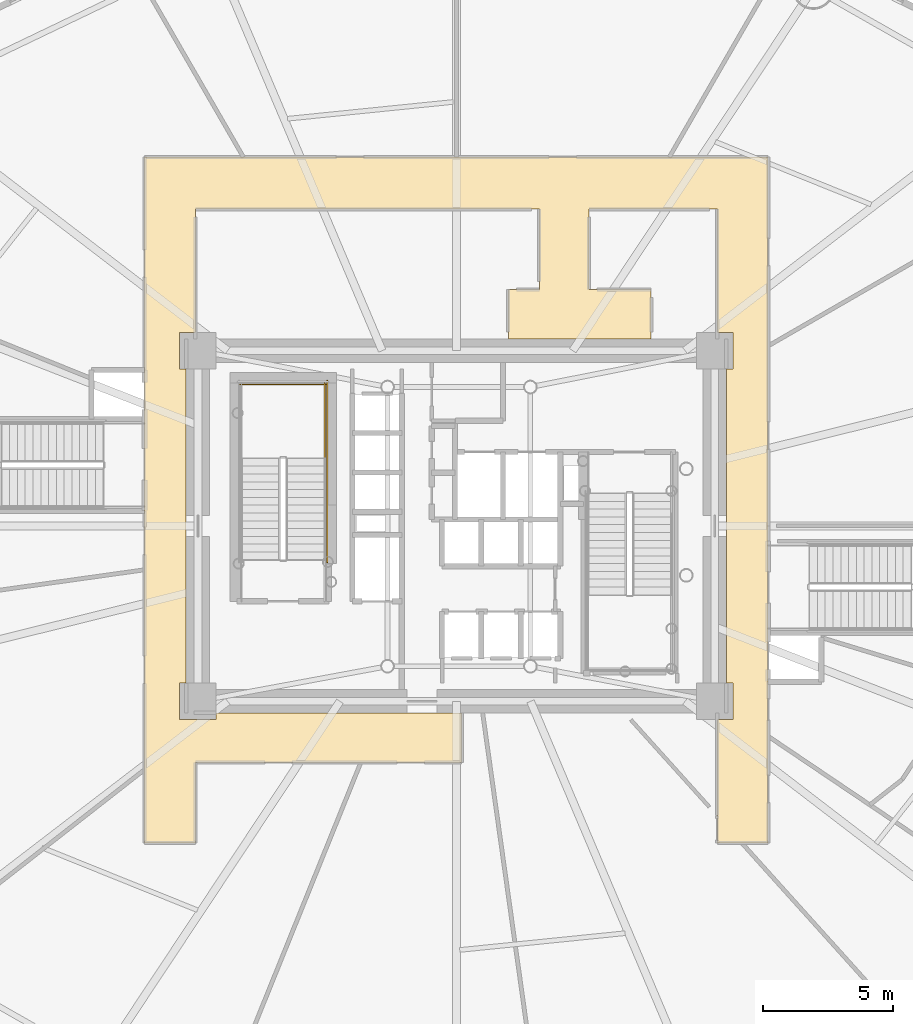
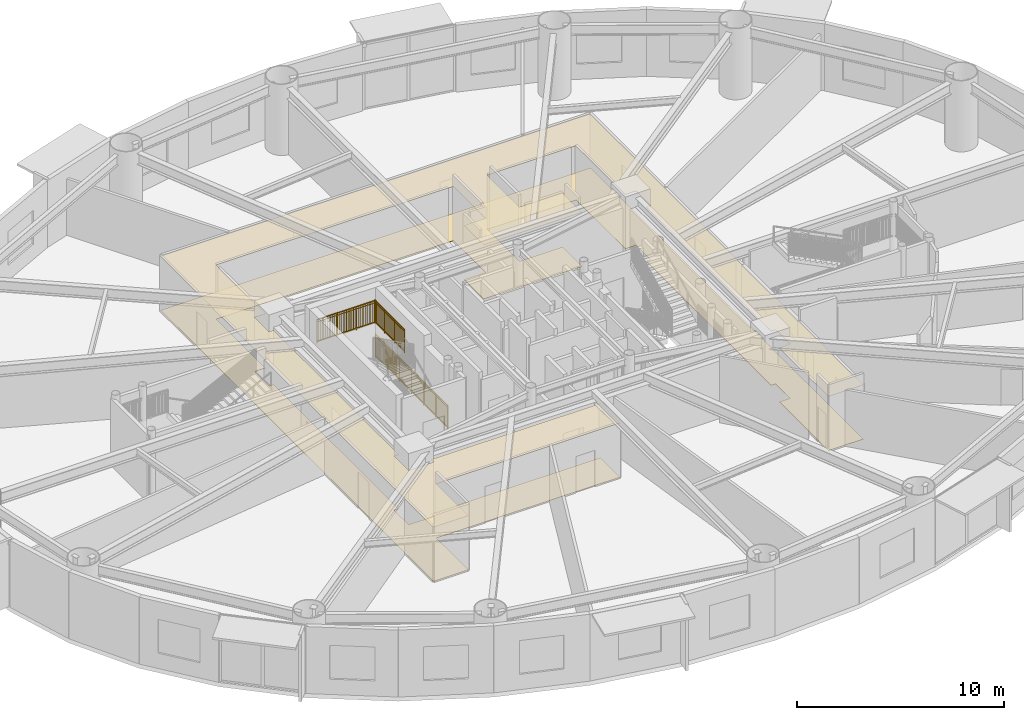
# One storey, part 26 of 32: 3 railings, 2 coverings.
"""IFC4 building model written with IfcOpenShell, lengths in metres."""

from ifc_helpers import new_model, si_unit, direction, frame, origin, origin_2d, place, context, subcontext, project, spatial, polyline, rectangle, outline, extrude, source, transform, mapped, material, layer, layer_set, type_object, element, save


model = new_model("IFC4")

# Units and contexts
model_context = context("Model", 3, precision=1e-05, world=origin(), true_north=direction((0.0, 1.0)))
body_context = subcontext(model_context, "Body", "Model", "MODEL_VIEW")
ifc_project = project(units=[si_unit("LENGTHUNIT", "METRE"), si_unit("AREAUNIT", "SQUARE_METRE"), si_unit("VOLUMEUNIT", "CUBIC_METRE"), si_unit("PLANEANGLEUNIT", "RADIAN"), si_unit("MASSUNIT", "GRAM", prefix="KILO")], contexts=[model_context])

# Site, building, storey
site_placement = place(None, origin())
site = spatial("IfcSite", under=ifc_project, at=site_placement, CompositionType="ELEMENT")
building_placement = place(site_placement, origin())
building = spatial("IfcBuilding", under=site, at=building_placement, Name="Linh Dai School and Residence Tower", CompositionType="ELEMENT")
storey_placement = place(building_placement, frame((0.0, 0.0, 40.800048828125)))
storey = spatial("IfcBuildingStorey", under=building, at=storey_placement, Name="L09", CompositionType="ELEMENT", Elevation=40.800048828125)

# Coverings
ifc_material_1 = material(Name="Mineral Fibre Acoustic Suspended Ceiling", Category="masonry")
ifc_layer_1 = layer(ifc_material_1, 0.02001953125)
ifc_layer_set_1 = layer_set([ifc_layer_1], Name="Mineral Fibre Acoustic Suspended Ceiling")
covering_type_1 = type_object("IfcCoveringType", Name="COV-CEIL-AC-20", PredefinedType="CEILING", material=ifc_layer_set_1)
covering_1_placement = place(storey_placement, frame((0.0, 0.0, 3.199951171875)))
element("IfcCovering", 1, at=covering_1_placement, inside=storey, type_object=covering_type_1, Name="L09 School Circulation Ring Corridor Suspended Ceiling", PredefinedType="CEILING", context=body_context, shape_type="SweptSolid", body=[
    extrude(outline(polyline([(24.0, 41.199951171875), (48.0, 41.199951171875), (48.0, 14.800048828125), (46.050048828125, 14.800048828125), (46.050048828125, 19.550048828125), (46.64990234375, 19.550048828125), (46.64990234375, 20.949951171875), (46.39990234375, 20.949951171875), (46.39990234375, 33.050048828125), (46.64990234375, 33.050048828125), (46.64990234375, 34.449951171875), (46.050048828125, 34.449951171875), (46.050048828125, 39.199951171875), (41.10009765625, 39.199951171875), (41.10009765625, 36.10009765625), (43.5, 36.10009765625), (43.5, 34.199951171875), (38.0, 34.199951171875), (38.0, 36.10009765625), (39.199951171875, 36.10009765625), (39.199951171875, 39.199951171875), (25.949951171875, 39.199951171875), (25.949951171875, 34.449951171875), (25.35009765625, 34.449951171875), (25.35009765625, 33.050048828125), (25.60009765625, 33.050048828125), (25.60009765625, 20.949951171875), (25.35009765625, 20.949951171875), (25.35009765625, 19.550048828125), (26.75, 19.550048828125), (26.75, 19.800048828125), (36.199951171875, 19.800048828125), (36.199951171875, 17.89990234375), (25.949951171875, 17.89990234375), (25.949951171875, 14.800048828125), (24.0, 14.800048828125), (24.0, 41.199951171875)])), origin(), (0.0, 0.0, 1.0), 0.02001953125),
])
ifc_material_2 = material(Name="Polished Terrazzo Floor Finish", Category="masonry")
ifc_layer_2 = layer(ifc_material_2, 0.02490234375)
ifc_layer_set_2 = layer_set([ifc_layer_2], Name="Polished Terrazzo Floor Finish")
covering_type_2 = type_object("IfcCoveringType", Name="COV-FLR-TRZ-25", PredefinedType="FLOORING", material=ifc_layer_set_2)
covering_2_placement = place(storey_placement, origin())
element("IfcCovering", 2, at=covering_2_placement, inside=storey, type_object=covering_type_2, Name="L09 School Circulation Ring Corridor Floor Finish", PredefinedType="FLOORING", context=body_context, shape_type="SweptSolid", body=[
    extrude(outline(polyline([(24.0, 41.199951171875), (48.0, 41.199951171875), (48.0, 14.800048828125), (46.050048828125, 14.800048828125), (46.050048828125, 19.550048828125), (46.64990234375, 19.550048828125), (46.64990234375, 20.949951171875), (46.39990234375, 20.949951171875), (46.39990234375, 33.050048828125), (46.64990234375, 33.050048828125), (46.64990234375, 34.449951171875), (46.050048828125, 34.449951171875), (46.050048828125, 39.199951171875), (41.10009765625, 39.199951171875), (41.10009765625, 36.10009765625), (43.5, 36.10009765625), (43.5, 34.199951171875), (38.0, 34.199951171875), (38.0, 36.10009765625), (39.199951171875, 36.10009765625), (39.199951171875, 39.199951171875), (25.949951171875, 39.199951171875), (25.949951171875, 34.449951171875), (25.35009765625, 34.449951171875), (25.35009765625, 33.050048828125), (25.60009765625, 33.050048828125), (25.60009765625, 20.949951171875), (25.35009765625, 20.949951171875), (25.35009765625, 19.550048828125), (26.75, 19.550048828125), (26.75, 19.800048828125), (36.199951171875, 19.800048828125), (36.199951171875, 17.89990234375), (25.949951171875, 17.89990234375), (25.949951171875, 14.800048828125), (24.0, 14.800048828125), (24.0, 41.199951171875)])), origin(), (0.0, 0.0, 1.0), 0.02001953125),
])

# Railings
ifc_material_3 = material(Name="Structural Steel S355JR", Category="steel")
railing_type = type_object("IfcRailingType", Name="RL-ST-GUARD-1400", PredefinedType="GUARDRAIL", material=ifc_material_3)
shared_shape_1 = source(origin(), body_context, "Body", "SweptSolid", [
    extrude(rectangle(XDim=0.048095703125, YDim=0.048095703125, at=origin_2d()), frame((0.0, 0.0, 1.3759765625), z_axis=(-1.0, 0.0, 0.0), x_axis=(0.0, -1.0, 0.0)), (0.0, 0.0, 1.0), 3.300048828125),
    extrude(rectangle(XDim=0.048095703125, YDim=0.048095703125, at=origin_2d()), frame((0.0, 0.0, 0.10009765625), z_axis=(-1.0, 0.0, 0.0), x_axis=(0.0, -1.0, 0.0)), (0.0, 0.0, 1.0), 3.300048828125),
    extrude(rectangle(XDim=0.030029296875, YDim=0.030029296875, at=origin_2d()), frame((0.0, 0.0, 1.239990234375), z_axis=(-1.0, 0.0, 0.0), x_axis=(0.0, -1.0, 0.0)), (0.0, 0.0, 1.0), 3.300048828125),
    extrude(rectangle(XDim=0.02001953125, YDim=0.02001953125, at=origin_2d()), frame((-0.09716796875, 0.0, 0.10009765625)), (0.0, 0.0, 1.0), 1.251708984375),
    extrude(rectangle(XDim=0.02001953125, YDim=0.02001953125, at=origin_2d()), frame((-0.194091796875, 0.0, 0.10009765625)), (0.0, 0.0, 1.0), 1.251708984375),
    extrude(rectangle(XDim=0.02001953125, YDim=0.02001953125, at=origin_2d()), frame((-0.291259765625, 0.0, 0.10009765625)), (0.0, 0.0, 1.0), 1.251708984375),
    extrude(rectangle(XDim=0.02001953125, YDim=0.02001953125, at=origin_2d()), frame((-0.38818359375, 0.0, 0.10009765625)), (0.0, 0.0, 1.0), 1.251708984375),
    extrude(rectangle(XDim=0.02001953125, YDim=0.02001953125, at=origin_2d()), frame((-0.4853515625, 0.0, 0.10009765625)), (0.0, 0.0, 1.0), 1.251708984375),
    extrude(rectangle(XDim=0.02001953125, YDim=0.02001953125, at=origin_2d()), frame((-0.582275390625, 0.0, 0.10009765625)), (0.0, 0.0, 1.0), 1.251708984375),
    extrude(rectangle(XDim=0.02001953125, YDim=0.02001953125, at=origin_2d()), frame((-0.679443359375, 0.0, 0.10009765625)), (0.0, 0.0, 1.0), 1.251708984375),
    extrude(rectangle(XDim=0.02001953125, YDim=0.02001953125, at=origin_2d()), frame((-0.7763671875, 0.0, 0.10009765625)), (0.0, 0.0, 1.0), 1.251708984375),
    extrude(rectangle(XDim=0.02001953125, YDim=0.02001953125, at=origin_2d()), frame((-0.87353515625, 0.0, 0.10009765625)), (0.0, 0.0, 1.0), 1.251708984375),
    extrude(rectangle(XDim=0.02001953125, YDim=0.02001953125, at=origin_2d()), frame((-0.970703125, 0.0, 0.10009765625)), (0.0, 0.0, 1.0), 1.251708984375),
    extrude(rectangle(XDim=0.02001953125, YDim=0.02001953125, at=origin_2d()), frame((-1.164794921875, 0.0, 0.10009765625)), (0.0, 0.0, 1.0), 1.251708984375),
    extrude(rectangle(XDim=0.02001953125, YDim=0.02001953125, at=origin_2d()), frame((-1.26171875, 0.0, 0.10009765625)), (0.0, 0.0, 1.0), 1.251708984375),
    extrude(rectangle(XDim=0.02001953125, YDim=0.02001953125, at=origin_2d()), frame((-1.35888671875, 0.0, 0.10009765625)), (0.0, 0.0, 1.0), 1.251708984375),
    extrude(rectangle(XDim=0.02001953125, YDim=0.02001953125, at=origin_2d()), frame((-1.455810546875, 0.0, 0.10009765625)), (0.0, 0.0, 1.0), 1.251708984375),
    extrude(rectangle(XDim=0.02001953125, YDim=0.02001953125, at=origin_2d()), frame((-1.552978515625, 0.0, 0.10009765625)), (0.0, 0.0, 1.0), 1.251708984375),
    extrude(rectangle(XDim=0.02001953125, YDim=0.02001953125, at=origin_2d()), frame((-1.64990234375, 0.0, 0.10009765625)), (0.0, 0.0, 1.0), 1.251708984375),
    extrude(rectangle(XDim=0.02001953125, YDim=0.02001953125, at=origin_2d()), frame((-1.7470703125, 0.0, 0.10009765625)), (0.0, 0.0, 1.0), 1.251708984375),
    extrude(rectangle(XDim=0.02001953125, YDim=0.02001953125, at=origin_2d()), frame((-1.84423828125, 0.0, 0.10009765625)), (0.0, 0.0, 1.0), 1.251708984375),
    extrude(rectangle(XDim=0.02001953125, YDim=0.02001953125, at=origin_2d()), frame((-1.941162109375, 0.0, 0.10009765625)), (0.0, 0.0, 1.0), 1.251708984375),
    extrude(rectangle(XDim=0.02001953125, YDim=0.02001953125, at=origin_2d()), frame((-2.038330078125, 0.0, 0.10009765625)), (0.0, 0.0, 1.0), 1.251708984375),
    extrude(rectangle(XDim=0.02001953125, YDim=0.02001953125, at=origin_2d()), frame((-2.13525390625, 0.0, 0.10009765625)), (0.0, 0.0, 1.0), 1.251708984375),
    extrude(rectangle(XDim=0.02001953125, YDim=0.02001953125, at=origin_2d()), frame((-2.329345703125, 0.0, 0.10009765625)), (0.0, 0.0, 1.0), 1.251708984375),
    extrude(rectangle(XDim=0.02001953125, YDim=0.02001953125, at=origin_2d()), frame((-2.426513671875, 0.0, 0.10009765625)), (0.0, 0.0, 1.0), 1.251708984375),
    extrude(rectangle(XDim=0.02001953125, YDim=0.02001953125, at=origin_2d()), frame((-2.523681640625, 0.0, 0.10009765625)), (0.0, 0.0, 1.0), 1.251708984375),
    extrude(rectangle(XDim=0.02001953125, YDim=0.02001953125, at=origin_2d()), frame((-2.62060546875, 0.0, 0.10009765625)), (0.0, 0.0, 1.0), 1.251708984375),
    extrude(rectangle(XDim=0.02001953125, YDim=0.02001953125, at=origin_2d()), frame((-2.7177734375, 0.0, 0.10009765625)), (0.0, 0.0, 1.0), 1.251708984375),
    extrude(rectangle(XDim=0.02001953125, YDim=0.02001953125, at=origin_2d()), frame((-2.814697265625, 0.0, 0.10009765625)), (0.0, 0.0, 1.0), 1.251708984375),
    extrude(rectangle(XDim=0.02001953125, YDim=0.02001953125, at=origin_2d()), frame((-2.911865234375, 0.0, 0.10009765625)), (0.0, 0.0, 1.0), 1.251708984375),
    extrude(rectangle(XDim=0.02001953125, YDim=0.02001953125, at=origin_2d()), frame((-3.0087890625, 0.0, 0.10009765625)), (0.0, 0.0, 1.0), 1.251708984375),
    extrude(rectangle(XDim=0.02001953125, YDim=0.02001953125, at=origin_2d()), frame((-3.10595703125, 0.0, 0.10009765625)), (0.0, 0.0, 1.0), 1.251708984375),
    extrude(rectangle(XDim=0.02001953125, YDim=0.02001953125, at=origin_2d()), frame((-3.202880859375, 0.0, 0.10009765625)), (0.0, 0.0, 1.0), 1.251708984375),
    extrude(rectangle(XDim=0.0419921875, YDim=0.0419921875, at=origin_2d()), origin(), (0.0, 0.0, 1.0), 1.3759765625),
    extrude(rectangle(XDim=0.0419921875, YDim=0.0419921875, at=origin_2d()), frame((-1.10009765625, 0.0, 0.0)), (0.0, 0.0, 1.0), 1.3759765625),
    extrude(rectangle(XDim=0.0419921875, YDim=0.0419921875, at=origin_2d()), frame((-2.199951171875, 0.0, 0.0)), (0.0, 0.0, 1.0), 1.3759765625),
    extrude(rectangle(XDim=0.0419921875, YDim=0.0419921875, at=origin_2d()), frame((-3.300048828125, 0.0, 0.0)), (0.0, 0.0, 1.0), 1.3759765625),
])
railing_1_placement = place(storey_placement, frame((30.97998046875, 32.449951171875, 2.099853515625)))
element("IfcRailing", 3, at=railing_1_placement, inside=storey, type_object=railing_type, Name="L09 ST1 stair guard 5", PredefinedType="GUARDRAIL", context=body_context, shape_type="MappedRepresentation", body=[
    mapped(shared_shape_1, transform((0.0, 0.0, 0.0), x_axis=(1.0, 0.0, 0.0), y_axis=(0.0, 1.0, 0.0), z_axis=(0.0, 0.0, 1.0), scale=1.0)),
])
shared_shape_2 = source(origin(), body_context, "Body", "SweptSolid", [
    extrude(rectangle(XDim=0.048095703125, YDim=0.048095703125, at=origin_2d()), frame((0.0, 0.0, 1.3759765625), z_axis=(0.0, 1.0, 0.0), x_axis=(-1.0, 0.0, 0.0)), (0.0, 0.0, 1.0), 7.0),
    extrude(rectangle(XDim=0.048095703125, YDim=0.048095703125, at=origin_2d()), frame((0.0, 0.0, 0.10009765625), z_axis=(0.0, 1.0, 0.0), x_axis=(-1.0, 0.0, 0.0)), (0.0, 0.0, 1.0), 7.0),
    extrude(rectangle(XDim=0.030029296875, YDim=0.030029296875, at=origin_2d()), frame((0.0, 0.0, 1.239990234375), z_axis=(0.0, 1.0, 0.0), x_axis=(-1.0, 0.0, 0.0)), (0.0, 0.0, 1.0), 7.0),
    extrude(rectangle(XDim=0.02001953125, YDim=0.02001953125, at=origin_2d()), frame((0.0, 0.09716796875, 0.10009765625)), (0.0, 0.0, 1.0), 1.251708984375),
    extrude(rectangle(XDim=0.02001953125, YDim=0.02001953125, at=origin_2d()), frame((0.0, 0.1943359375, 0.10009765625)), (0.0, 0.0, 1.0), 1.251708984375),
    extrude(rectangle(XDim=0.02001953125, YDim=0.02001953125, at=origin_2d()), frame((0.0, 0.291748046875, 0.10009765625)), (0.0, 0.0, 1.0), 1.251708984375),
    extrude(rectangle(XDim=0.02001953125, YDim=0.02001953125, at=origin_2d()), frame((0.0, 0.388916015625, 0.10009765625)), (0.0, 0.0, 1.0), 1.251708984375),
    extrude(rectangle(XDim=0.02001953125, YDim=0.02001953125, at=origin_2d()), frame((0.0, 0.486083984375, 0.10009765625)), (0.0, 0.0, 1.0), 1.251708984375),
    extrude(rectangle(XDim=0.02001953125, YDim=0.02001953125, at=origin_2d()), frame((0.0, 0.583251953125, 0.10009765625)), (0.0, 0.0, 1.0), 1.251708984375),
    extrude(rectangle(XDim=0.02001953125, YDim=0.02001953125, at=origin_2d()), frame((0.0, 0.6806640625, 0.10009765625)), (0.0, 0.0, 1.0), 1.251708984375),
    extrude(rectangle(XDim=0.02001953125, YDim=0.02001953125, at=origin_2d()), frame((0.0, 0.77783203125, 0.10009765625)), (0.0, 0.0, 1.0), 1.251708984375),
    extrude(rectangle(XDim=0.02001953125, YDim=0.02001953125, at=origin_2d()), frame((0.0, 0.875, 0.10009765625)), (0.0, 0.0, 1.0), 1.251708984375),
    extrude(rectangle(XDim=0.02001953125, YDim=0.02001953125, at=origin_2d()), frame((0.0, 0.97216796875, 0.10009765625)), (0.0, 0.0, 1.0), 1.251708984375),
    extrude(rectangle(XDim=0.02001953125, YDim=0.02001953125, at=origin_2d()), frame((0.0, 1.0693359375, 0.10009765625)), (0.0, 0.0, 1.0), 1.251708984375),
    extrude(rectangle(XDim=0.02001953125, YDim=0.02001953125, at=origin_2d()), frame((0.0, 1.263916015625, 0.10009765625)), (0.0, 0.0, 1.0), 1.251708984375),
    extrude(rectangle(XDim=0.02001953125, YDim=0.02001953125, at=origin_2d()), frame((0.0, 1.361083984375, 0.10009765625)), (0.0, 0.0, 1.0), 1.251708984375),
    extrude(rectangle(XDim=0.02001953125, YDim=0.02001953125, at=origin_2d()), frame((0.0, 1.458251953125, 0.10009765625)), (0.0, 0.0, 1.0), 1.251708984375),
    extrude(rectangle(XDim=0.02001953125, YDim=0.02001953125, at=origin_2d()), frame((0.0, 1.5556640625, 0.10009765625)), (0.0, 0.0, 1.0), 1.251708984375),
    extrude(rectangle(XDim=0.02001953125, YDim=0.02001953125, at=origin_2d()), frame((0.0, 1.65283203125, 0.10009765625)), (0.0, 0.0, 1.0), 1.251708984375),
    extrude(rectangle(XDim=0.02001953125, YDim=0.02001953125, at=origin_2d()), frame((0.0, 1.75, 0.10009765625)), (0.0, 0.0, 1.0), 1.251708984375),
    extrude(rectangle(XDim=0.02001953125, YDim=0.02001953125, at=origin_2d()), frame((0.0, 1.84716796875, 0.10009765625)), (0.0, 0.0, 1.0), 1.251708984375),
    extrude(rectangle(XDim=0.02001953125, YDim=0.02001953125, at=origin_2d()), frame((0.0, 1.9443359375, 0.10009765625)), (0.0, 0.0, 1.0), 1.251708984375),
    extrude(rectangle(XDim=0.02001953125, YDim=0.02001953125, at=origin_2d()), frame((0.0, 2.041748046875, 0.10009765625)), (0.0, 0.0, 1.0), 1.251708984375),
    extrude(rectangle(XDim=0.02001953125, YDim=0.02001953125, at=origin_2d()), frame((0.0, 2.138916015625, 0.10009765625)), (0.0, 0.0, 1.0), 1.251708984375),
    extrude(rectangle(XDim=0.02001953125, YDim=0.02001953125, at=origin_2d()), frame((0.0, 2.236083984375, 0.10009765625)), (0.0, 0.0, 1.0), 1.251708984375),
    extrude(rectangle(XDim=0.02001953125, YDim=0.02001953125, at=origin_2d()), frame((0.0, 2.4306640625, 0.10009765625)), (0.0, 0.0, 1.0), 1.251708984375),
    extrude(rectangle(XDim=0.02001953125, YDim=0.02001953125, at=origin_2d()), frame((0.0, 2.52783203125, 0.10009765625)), (0.0, 0.0, 1.0), 1.251708984375),
    extrude(rectangle(XDim=0.02001953125, YDim=0.02001953125, at=origin_2d()), frame((0.0, 2.625, 0.10009765625)), (0.0, 0.0, 1.0), 1.251708984375),
    extrude(rectangle(XDim=0.02001953125, YDim=0.02001953125, at=origin_2d()), frame((0.0, 2.72216796875, 0.10009765625)), (0.0, 0.0, 1.0), 1.251708984375),
    extrude(rectangle(XDim=0.02001953125, YDim=0.02001953125, at=origin_2d()), frame((0.0, 2.8193359375, 0.10009765625)), (0.0, 0.0, 1.0), 1.251708984375),
    extrude(rectangle(XDim=0.02001953125, YDim=0.02001953125, at=origin_2d()), frame((0.0, 2.916748046875, 0.10009765625)), (0.0, 0.0, 1.0), 1.251708984375),
    extrude(rectangle(XDim=0.02001953125, YDim=0.02001953125, at=origin_2d()), frame((0.0, 3.013916015625, 0.10009765625)), (0.0, 0.0, 1.0), 1.251708984375),
    extrude(rectangle(XDim=0.02001953125, YDim=0.02001953125, at=origin_2d()), frame((0.0, 3.111083984375, 0.10009765625)), (0.0, 0.0, 1.0), 1.251708984375),
    extrude(rectangle(XDim=0.02001953125, YDim=0.02001953125, at=origin_2d()), frame((0.0, 3.208251953125, 0.10009765625)), (0.0, 0.0, 1.0), 1.251708984375),
    extrude(rectangle(XDim=0.02001953125, YDim=0.02001953125, at=origin_2d()), frame((0.0, 3.3056640625, 0.10009765625)), (0.0, 0.0, 1.0), 1.251708984375),
    extrude(rectangle(XDim=0.02001953125, YDim=0.02001953125, at=origin_2d()), frame((0.0, 3.40283203125, 0.10009765625)), (0.0, 0.0, 1.0), 1.251708984375),
    extrude(rectangle(XDim=0.02001953125, YDim=0.02001953125, at=origin_2d()), frame((0.0, 3.59716796875, 0.10009765625)), (0.0, 0.0, 1.0), 1.251708984375),
    extrude(rectangle(XDim=0.02001953125, YDim=0.02001953125, at=origin_2d()), frame((0.0, 3.6943359375, 0.10009765625)), (0.0, 0.0, 1.0), 1.251708984375),
    extrude(rectangle(XDim=0.02001953125, YDim=0.02001953125, at=origin_2d()), frame((0.0, 3.791748046875, 0.10009765625)), (0.0, 0.0, 1.0), 1.251708984375),
    extrude(rectangle(XDim=0.02001953125, YDim=0.02001953125, at=origin_2d()), frame((0.0, 3.888916015625, 0.10009765625)), (0.0, 0.0, 1.0), 1.251708984375),
    extrude(rectangle(XDim=0.02001953125, YDim=0.02001953125, at=origin_2d()), frame((0.0, 3.986083984375, 0.10009765625)), (0.0, 0.0, 1.0), 1.251708984375),
    extrude(rectangle(XDim=0.02001953125, YDim=0.02001953125, at=origin_2d()), frame((0.0, 4.083251953125, 0.10009765625)), (0.0, 0.0, 1.0), 1.251708984375),
    extrude(rectangle(XDim=0.02001953125, YDim=0.02001953125, at=origin_2d()), frame((0.0, 4.1806640625, 0.10009765625)), (0.0, 0.0, 1.0), 1.251708984375),
    extrude(rectangle(XDim=0.02001953125, YDim=0.02001953125, at=origin_2d()), frame((0.0, 4.27783203125, 0.10009765625)), (0.0, 0.0, 1.0), 1.251708984375),
    extrude(rectangle(XDim=0.02001953125, YDim=0.02001953125, at=origin_2d()), frame((0.0, 4.375, 0.10009765625)), (0.0, 0.0, 1.0), 1.251708984375),
    extrude(rectangle(XDim=0.02001953125, YDim=0.02001953125, at=origin_2d()), frame((0.0, 4.47216796875, 0.10009765625)), (0.0, 0.0, 1.0), 1.251708984375),
    extrude(rectangle(XDim=0.02001953125, YDim=0.02001953125, at=origin_2d()), frame((0.0, 4.5693359375, 0.10009765625)), (0.0, 0.0, 1.0), 1.251708984375),
    extrude(rectangle(XDim=0.02001953125, YDim=0.02001953125, at=origin_2d()), frame((0.0, 4.763916015625, 0.10009765625)), (0.0, 0.0, 1.0), 1.251708984375),
    extrude(rectangle(XDim=0.02001953125, YDim=0.02001953125, at=origin_2d()), frame((0.0, 4.861083984375, 0.10009765625)), (0.0, 0.0, 1.0), 1.251708984375),
    extrude(rectangle(XDim=0.02001953125, YDim=0.02001953125, at=origin_2d()), frame((0.0, 4.958251953125, 0.10009765625)), (0.0, 0.0, 1.0), 1.251708984375),
    extrude(rectangle(XDim=0.02001953125, YDim=0.02001953125, at=origin_2d()), frame((0.0, 5.0556640625, 0.10009765625)), (0.0, 0.0, 1.0), 1.251708984375),
    extrude(rectangle(XDim=0.02001953125, YDim=0.02001953125, at=origin_2d()), frame((0.0, 5.15283203125, 0.10009765625)), (0.0, 0.0, 1.0), 1.251708984375),
    extrude(rectangle(XDim=0.02001953125, YDim=0.02001953125, at=origin_2d()), frame((0.0, 5.25, 0.10009765625)), (0.0, 0.0, 1.0), 1.251708984375),
    extrude(rectangle(XDim=0.02001953125, YDim=0.02001953125, at=origin_2d()), frame((0.0, 5.34716796875, 0.10009765625)), (0.0, 0.0, 1.0), 1.251708984375),
    extrude(rectangle(XDim=0.02001953125, YDim=0.02001953125, at=origin_2d()), frame((0.0, 5.4443359375, 0.10009765625)), (0.0, 0.0, 1.0), 1.251708984375),
    extrude(rectangle(XDim=0.02001953125, YDim=0.02001953125, at=origin_2d()), frame((0.0, 5.541748046875, 0.10009765625)), (0.0, 0.0, 1.0), 1.251708984375),
    extrude(rectangle(XDim=0.02001953125, YDim=0.02001953125, at=origin_2d()), frame((0.0, 5.638916015625, 0.10009765625)), (0.0, 0.0, 1.0), 1.251708984375),
    extrude(rectangle(XDim=0.02001953125, YDim=0.02001953125, at=origin_2d()), frame((0.0, 5.736083984375, 0.10009765625)), (0.0, 0.0, 1.0), 1.251708984375),
    extrude(rectangle(XDim=0.02001953125, YDim=0.02001953125, at=origin_2d()), frame((0.0, 5.9306640625, 0.10009765625)), (0.0, 0.0, 1.0), 1.251708984375),
    extrude(rectangle(XDim=0.02001953125, YDim=0.02001953125, at=origin_2d()), frame((0.0, 6.02783203125, 0.10009765625)), (0.0, 0.0, 1.0), 1.251708984375),
    extrude(rectangle(XDim=0.02001953125, YDim=0.02001953125, at=origin_2d()), frame((0.0, 6.125, 0.10009765625)), (0.0, 0.0, 1.0), 1.251708984375),
    extrude(rectangle(XDim=0.02001953125, YDim=0.02001953125, at=origin_2d()), frame((0.0, 6.22216796875, 0.10009765625)), (0.0, 0.0, 1.0), 1.251708984375),
    extrude(rectangle(XDim=0.02001953125, YDim=0.02001953125, at=origin_2d()), frame((0.0, 6.3193359375, 0.10009765625)), (0.0, 0.0, 1.0), 1.251708984375),
    extrude(rectangle(XDim=0.02001953125, YDim=0.02001953125, at=origin_2d()), frame((0.0, 6.416748046875, 0.10009765625)), (0.0, 0.0, 1.0), 1.251708984375),
    extrude(rectangle(XDim=0.02001953125, YDim=0.02001953125, at=origin_2d()), frame((0.0, 6.513916015625, 0.10009765625)), (0.0, 0.0, 1.0), 1.251708984375),
    extrude(rectangle(XDim=0.02001953125, YDim=0.02001953125, at=origin_2d()), frame((0.0, 6.611083984375, 0.10009765625)), (0.0, 0.0, 1.0), 1.251708984375),
    extrude(rectangle(XDim=0.02001953125, YDim=0.02001953125, at=origin_2d()), frame((0.0, 6.708251953125, 0.10009765625)), (0.0, 0.0, 1.0), 1.251708984375),
    extrude(rectangle(XDim=0.02001953125, YDim=0.02001953125, at=origin_2d()), frame((0.0, 6.8056640625, 0.10009765625)), (0.0, 0.0, 1.0), 1.251708984375),
    extrude(rectangle(XDim=0.02001953125, YDim=0.02001953125, at=origin_2d()), frame((0.0, 6.90283203125, 0.10009765625)), (0.0, 0.0, 1.0), 1.251708984375),
    extrude(rectangle(XDim=0.0419921875, YDim=0.0419921875, at=origin_2d()), origin(), (0.0, 0.0, 1.0), 1.3759765625),
    extrude(rectangle(XDim=0.0419921875, YDim=0.0419921875, at=origin_2d()), frame((0.0, 1.166748046875, 0.0)), (0.0, 0.0, 1.0), 1.3759765625),
    extrude(rectangle(XDim=0.0419921875, YDim=0.0419921875, at=origin_2d()), frame((0.0, 2.333251953125, 0.0)), (0.0, 0.0, 1.0), 1.3759765625),
    extrude(rectangle(XDim=0.0419921875, YDim=0.0419921875, at=origin_2d()), frame((0.0, 3.5, 0.0)), (0.0, 0.0, 1.0), 1.3759765625),
    extrude(rectangle(XDim=0.0419921875, YDim=0.0419921875, at=origin_2d()), frame((0.0, 4.666748046875, 0.0)), (0.0, 0.0, 1.0), 1.3759765625),
    extrude(rectangle(XDim=0.0419921875, YDim=0.0419921875, at=origin_2d()), frame((0.0, 5.833251953125, 0.0)), (0.0, 0.0, 1.0), 1.3759765625),
    extrude(rectangle(XDim=0.0419921875, YDim=0.0419921875, at=origin_2d()), frame((0.0, 7.0, 0.0)), (0.0, 0.0, 1.0), 1.3759765625),
])
railing_2_placement = place(storey_placement, frame((31.030029296875, 25.60009765625, 0.0)))
element("IfcRailing", 4, at=railing_2_placement, inside=storey, type_object=railing_type, Name="L09 ST1 stair guard 10", PredefinedType="GUARDRAIL", context=body_context, shape_type="MappedRepresentation", body=[
    mapped(shared_shape_2, transform((0.0, 0.0, 0.0), x_axis=(1.0, 0.0, 0.0), y_axis=(0.0, 1.0, 0.0), z_axis=(0.0, 0.0, 1.0), scale=1.0)),
])
shared_shape_3 = source(origin(), body_context, "Body", "SweptSolid", [
    extrude(rectangle(XDim=0.048095703125, YDim=0.048095703125, at=origin_2d()), frame((0.0, 0.0, 1.3759765625), z_axis=(0.0, 1.0, 0.0), x_axis=(-1.0, 0.0, 0.0)), (0.0, 0.0, 1.0), 2.89990234375),
    extrude(rectangle(XDim=0.048095703125, YDim=0.048095703125, at=origin_2d()), frame((0.0, 0.0, 0.10009765625), z_axis=(0.0, 1.0, 0.0), x_axis=(-1.0, 0.0, 0.0)), (0.0, 0.0, 1.0), 2.89990234375),
    extrude(rectangle(XDim=0.030029296875, YDim=0.030029296875, at=origin_2d()), frame((0.0, 0.0, 1.239990234375), z_axis=(0.0, 1.0, 0.0), x_axis=(-1.0, 0.0, 0.0)), (0.0, 0.0, 1.0), 2.89990234375),
    extrude(rectangle(XDim=0.02001953125, YDim=0.02001953125, at=origin_2d()), frame((0.0, 0.0966796875, 0.10009765625)), (0.0, 0.0, 1.0), 1.251708984375),
    extrude(rectangle(XDim=0.02001953125, YDim=0.02001953125, at=origin_2d()), frame((0.0, 0.193359375, 0.10009765625)), (0.0, 0.0, 1.0), 1.251708984375),
    extrude(rectangle(XDim=0.02001953125, YDim=0.02001953125, at=origin_2d()), frame((0.0, 0.2900390625, 0.10009765625)), (0.0, 0.0, 1.0), 1.251708984375),
    extrude(rectangle(XDim=0.02001953125, YDim=0.02001953125, at=origin_2d()), frame((0.0, 0.38671875, 0.10009765625)), (0.0, 0.0, 1.0), 1.251708984375),
    extrude(rectangle(XDim=0.02001953125, YDim=0.02001953125, at=origin_2d()), frame((0.0, 0.4833984375, 0.10009765625)), (0.0, 0.0, 1.0), 1.251708984375),
    extrude(rectangle(XDim=0.02001953125, YDim=0.02001953125, at=origin_2d()), frame((0.0, 0.580078125, 0.10009765625)), (0.0, 0.0, 1.0), 1.251708984375),
    extrude(rectangle(XDim=0.02001953125, YDim=0.02001953125, at=origin_2d()), frame((0.0, 0.6767578125, 0.10009765625)), (0.0, 0.0, 1.0), 1.251708984375),
    extrude(rectangle(XDim=0.02001953125, YDim=0.02001953125, at=origin_2d()), frame((0.0, 0.773193359375, 0.10009765625)), (0.0, 0.0, 1.0), 1.251708984375),
    extrude(rectangle(XDim=0.02001953125, YDim=0.02001953125, at=origin_2d()), frame((0.0, 0.869873046875, 0.10009765625)), (0.0, 0.0, 1.0), 1.251708984375),
    extrude(rectangle(XDim=0.02001953125, YDim=0.02001953125, at=origin_2d()), frame((0.0, 1.063232421875, 0.10009765625)), (0.0, 0.0, 1.0), 1.251708984375),
    extrude(rectangle(XDim=0.02001953125, YDim=0.02001953125, at=origin_2d()), frame((0.0, 1.159912109375, 0.10009765625)), (0.0, 0.0, 1.0), 1.251708984375),
    extrude(rectangle(XDim=0.02001953125, YDim=0.02001953125, at=origin_2d()), frame((0.0, 1.256591796875, 0.10009765625)), (0.0, 0.0, 1.0), 1.251708984375),
    extrude(rectangle(XDim=0.02001953125, YDim=0.02001953125, at=origin_2d()), frame((0.0, 1.353271484375, 0.10009765625)), (0.0, 0.0, 1.0), 1.251708984375),
    extrude(rectangle(XDim=0.02001953125, YDim=0.02001953125, at=origin_2d()), frame((0.0, 1.449951171875, 0.10009765625)), (0.0, 0.0, 1.0), 1.251708984375),
    extrude(rectangle(XDim=0.02001953125, YDim=0.02001953125, at=origin_2d()), frame((0.0, 1.546630859375, 0.10009765625)), (0.0, 0.0, 1.0), 1.251708984375),
    extrude(rectangle(XDim=0.02001953125, YDim=0.02001953125, at=origin_2d()), frame((0.0, 1.643310546875, 0.10009765625)), (0.0, 0.0, 1.0), 1.251708984375),
    extrude(rectangle(XDim=0.02001953125, YDim=0.02001953125, at=origin_2d()), frame((0.0, 1.739990234375, 0.10009765625)), (0.0, 0.0, 1.0), 1.251708984375),
    extrude(rectangle(XDim=0.02001953125, YDim=0.02001953125, at=origin_2d()), frame((0.0, 1.836669921875, 0.10009765625)), (0.0, 0.0, 1.0), 1.251708984375),
    extrude(rectangle(XDim=0.02001953125, YDim=0.02001953125, at=origin_2d()), frame((0.0, 2.030029296875, 0.10009765625)), (0.0, 0.0, 1.0), 1.251708984375),
    extrude(rectangle(XDim=0.02001953125, YDim=0.02001953125, at=origin_2d()), frame((0.0, 2.126708984375, 0.10009765625)), (0.0, 0.0, 1.0), 1.251708984375),
    extrude(rectangle(XDim=0.02001953125, YDim=0.02001953125, at=origin_2d()), frame((0.0, 2.22314453125, 0.10009765625)), (0.0, 0.0, 1.0), 1.251708984375),
    extrude(rectangle(XDim=0.02001953125, YDim=0.02001953125, at=origin_2d()), frame((0.0, 2.31982421875, 0.10009765625)), (0.0, 0.0, 1.0), 1.251708984375),
    extrude(rectangle(XDim=0.02001953125, YDim=0.02001953125, at=origin_2d()), frame((0.0, 2.41650390625, 0.10009765625)), (0.0, 0.0, 1.0), 1.251708984375),
    extrude(rectangle(XDim=0.02001953125, YDim=0.02001953125, at=origin_2d()), frame((0.0, 2.51318359375, 0.10009765625)), (0.0, 0.0, 1.0), 1.251708984375),
    extrude(rectangle(XDim=0.02001953125, YDim=0.02001953125, at=origin_2d()), frame((0.0, 2.60986328125, 0.10009765625)), (0.0, 0.0, 1.0), 1.251708984375),
    extrude(rectangle(XDim=0.02001953125, YDim=0.02001953125, at=origin_2d()), frame((0.0, 2.70654296875, 0.10009765625)), (0.0, 0.0, 1.0), 1.251708984375),
    extrude(rectangle(XDim=0.02001953125, YDim=0.02001953125, at=origin_2d()), frame((0.0, 2.80322265625, 0.10009765625)), (0.0, 0.0, 1.0), 1.251708984375),
    extrude(rectangle(XDim=0.0419921875, YDim=0.0419921875, at=origin_2d()), origin(), (0.0, 0.0, 1.0), 1.3759765625),
    extrude(rectangle(XDim=0.0419921875, YDim=0.0419921875, at=origin_2d()), frame((0.0, 0.966552734375, 0.0)), (0.0, 0.0, 1.0), 1.3759765625),
    extrude(rectangle(XDim=0.0419921875, YDim=0.0419921875, at=origin_2d()), frame((0.0, 1.933349609375, 0.0)), (0.0, 0.0, 1.0), 1.3759765625),
    extrude(rectangle(XDim=0.0419921875, YDim=0.0419921875, at=origin_2d()), frame((0.0, 2.89990234375, 0.0)), (0.0, 0.0, 1.0), 1.3759765625),
])
railing_3_placement = place(storey_placement, frame((30.929931640625, 29.60009765625, 2.099853515625)))
element("IfcRailing", 5, at=railing_3_placement, inside=storey, type_object=railing_type, Name="L09 ST1 stair guard 3", PredefinedType="GUARDRAIL", context=body_context, shape_type="MappedRepresentation", body=[
    mapped(shared_shape_3, transform((0.0, 0.0, 0.0), x_axis=(1.0, 0.0, 0.0), y_axis=(0.0, 1.0, 0.0), z_axis=(0.0, 0.0, 1.0), scale=1.0)),
])

save(model, "model.ifc")
